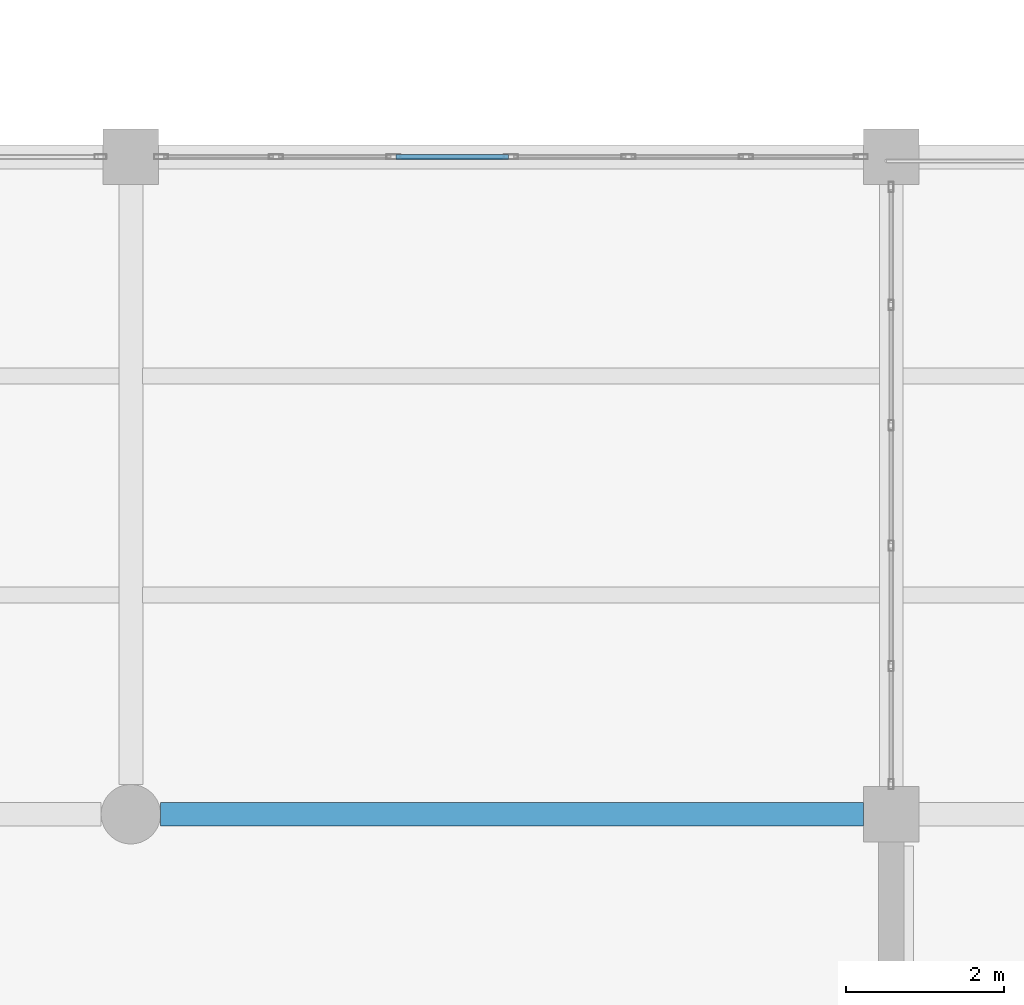
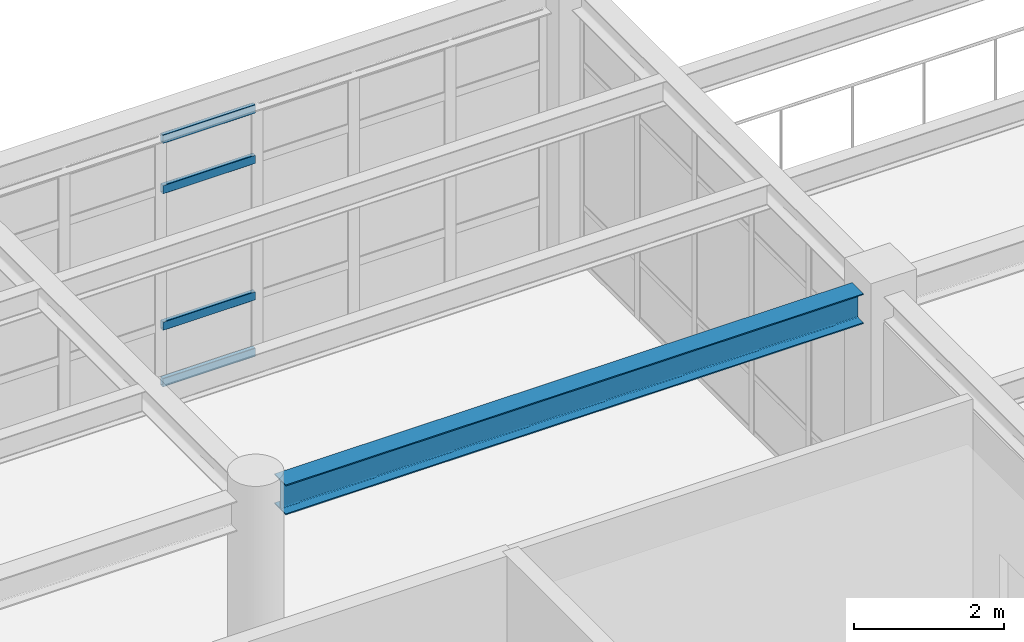
# One storey, part 62 of 98: 4 members, 1 beam, 1 element without a shape of its own.
"""IFC4 building model written with IfcOpenShell, lengths in metres."""

from ifc_helpers import new_model, si_unit, direction, frame, origin, origin_2d, place, context, subcontext, project, spatial, hollow_rectangle, i_section, extrude, material, material_profile, profile_set, type_object, element, aggregate, save


model = new_model("IFC4")

# Units and contexts
model_context = context("Model", 3, precision=1e-05, world=origin(), true_north=direction((0.0, 1.0)))
body_context = subcontext(model_context, "Body", "Model", "MODEL_VIEW")
ifc_project = project(units=[si_unit("LENGTHUNIT", "METRE"), si_unit("AREAUNIT", "SQUARE_METRE"), si_unit("VOLUMEUNIT", "CUBIC_METRE"), si_unit("PLANEANGLEUNIT", "RADIAN"), si_unit("MASSUNIT", "GRAM", prefix="KILO")], contexts=[model_context])

# Site, building, storey
site_placement = place(None, origin())
site = spatial("IfcSite", under=ifc_project, at=site_placement, CompositionType="ELEMENT")
building_placement = place(site_placement, origin())
building = spatial("IfcBuilding", under=site, at=building_placement, Name="Canglan Escarpment Cableway Terminal", CompositionType="ELEMENT")
storey_placement = place(building_placement, frame((0.0, 0.0, 9.60009765625)))
storey = spatial("IfcBuildingStorey", under=building, at=storey_placement, Name="L02", CompositionType="ELEMENT", Elevation=9.60009765625)

# Beam
ifc_material_1 = material(Name="Steel Q355B", Category="steel")
ifc_material_profile_1 = material_profile(ifc_material_1, i_section(OverallWidth=0.300048828125, OverallDepth=0.488037109375, WebThickness=0.010986328125, FlangeThickness=0.01806640625, FilletRadius=0.02587890625, at=origin_2d()), Name="HM 488x300x11x18")
ifc_profile_set_1 = profile_set([ifc_material_profile_1], Name="Steel Q355B")
beam_type = type_object("IfcBeamType", Name="BM-HM488", PredefinedType="BEAM", material=ifc_profile_set_1)
beam_placement = place(storey_placement, frame((157.175048828125, 24.800048828125, 4.27587890625), z_axis=(1.0, 0.0, 0.0), x_axis=(0.0, 1.0, 0.0)))
element("IfcBeam", 1, at=beam_placement, inside=storey, type_object=beam_type, Name="Primary structural girder B-09", PredefinedType="BEAM", context=body_context, shape_type="SweptSolid", body=[
    extrude(i_section(OverallWidth=0.300048828125, OverallDepth=0.488037109375, WebThickness=0.010986328125, FlangeThickness=0.01806640625, FilletRadius=0.02587890625, at=origin_2d()), origin(), (0.0, 0.0, 1.0), 8.875),
])

# Curtain wall, members
ifc_material_2 = material(Name="Anodized bronze aluminium and Low-E double glazing", Category="aluminium")
curtain_wall_type = type_object("IfcCurtainWallType", Name="CW-BAY-8900x4025", PredefinedType="NOTDEFINED", material=ifc_material_2)
curtain_wall_placement = place(storey_placement, origin())
curtain_wall = element("IfcCurtainWall", 2, at=curtain_wall_placement, inside=storey, type_object=curtain_wall_type, Name="Classical bay-between-piers glazed curtain wall CW-28", PredefinedType="NOTDEFINED")
ifc_material_3 = material(Name="Thermally broken anodized aluminium 6063-T6", Category="aluminium")
ifc_material_profile_2 = material_profile(ifc_material_3, hollow_rectangle(XDim=0.06494140625, YDim=0.139892578125, WallThickness=0.00341796875, InnerFilletRadius=0.00341796875, OuterFilletRadius=0.007080078125, at=origin_2d()), Name="ALU-TRAN 65x140x3.5")
ifc_profile_set_2 = profile_set([ifc_material_profile_2], Name="Thermally broken anodized aluminium 6063-T6")
member_type = type_object("IfcMemberType", Name="CWT-03", PredefinedType="USERDEFINED", material=ifc_profile_set_2)
member_1_placement = place(storey_placement, frame((161.5673828125, 33.10009765625, 0.032470703125), z_axis=(-1.0, 0.0, 0.0), x_axis=(0.0, -1.0, 0.0)))
member_1 = element("IfcMember", 3, at=member_1_placement, type_object=member_type, Name="CW-28 transom 4.1", ObjectType="TRANSOM", PredefinedType="USERDEFINED", context=body_context, shape_type="SweptSolid", body=[
    extrude(hollow_rectangle(XDim=0.06494140625, YDim=0.139892578125, WallThickness=0.00341796875, InnerFilletRadius=0.00341796875, OuterFilletRadius=0.007080078125, at=origin_2d()), origin(), (0.0, 0.0, 1.0), 1.418212890625),
])
member_2_placement = place(storey_placement, frame((161.5673828125, 33.10009765625, 0.949951171875), z_axis=(-1.0, 0.0, 0.0), x_axis=(0.0, -1.0, 0.0)))
member_2 = element("IfcMember", 4, at=member_2_placement, type_object=member_type, Name="CW-28 transom 4.2", ObjectType="TRANSOM", PredefinedType="USERDEFINED", context=body_context, shape_type="SweptSolid", body=[
    extrude(hollow_rectangle(XDim=0.06494140625, YDim=0.139892578125, WallThickness=0.00341796875, InnerFilletRadius=0.00341796875, OuterFilletRadius=0.007080078125, at=origin_2d()), origin(), (0.0, 0.0, 1.0), 1.418212890625),
])
member_3_placement = place(storey_placement, frame((161.5673828125, 33.10009765625, 3.1669921875), z_axis=(-1.0, 0.0, 0.0), x_axis=(0.0, -1.0, 0.0)))
member_3 = element("IfcMember", 5, at=member_3_placement, type_object=member_type, Name="CW-28 transom 4.3", ObjectType="TRANSOM", PredefinedType="USERDEFINED", context=body_context, shape_type="SweptSolid", body=[
    extrude(hollow_rectangle(XDim=0.06494140625, YDim=0.139892578125, WallThickness=0.00341796875, InnerFilletRadius=0.00341796875, OuterFilletRadius=0.007080078125, at=origin_2d()), origin(), (0.0, 0.0, 1.0), 1.418212890625),
])
member_4_placement = place(storey_placement, frame((161.5673828125, 33.10009765625, 3.984375), z_axis=(-1.0, 0.0, 0.0), x_axis=(0.0, -1.0, 0.0)))
member_4 = element("IfcMember", 6, at=member_4_placement, type_object=member_type, Name="CW-28 transom 4.4", ObjectType="TRANSOM", PredefinedType="USERDEFINED", context=body_context, shape_type="SweptSolid", body=[
    extrude(hollow_rectangle(XDim=0.06494140625, YDim=0.139892578125, WallThickness=0.00341796875, InnerFilletRadius=0.00341796875, OuterFilletRadius=0.007080078125, at=origin_2d()), origin(), (0.0, 0.0, 1.0), 1.418212890625),
])
aggregate(curtain_wall, [member_1, member_2, member_3, member_4])

save(model, "model.ifc")
